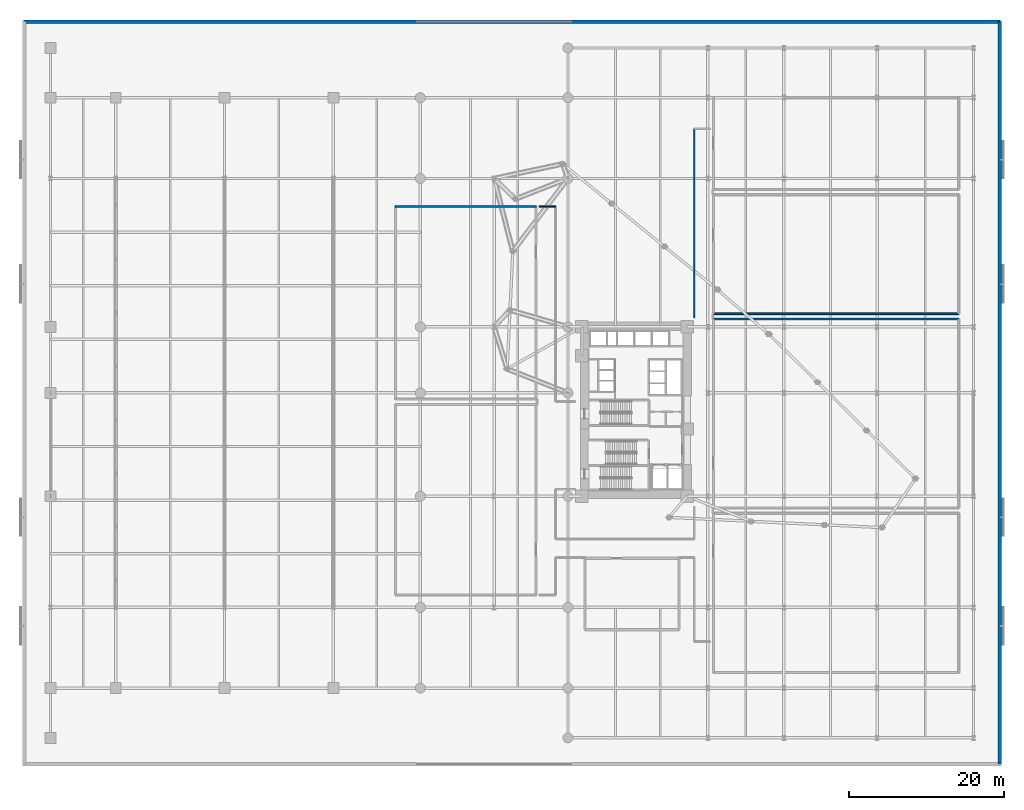
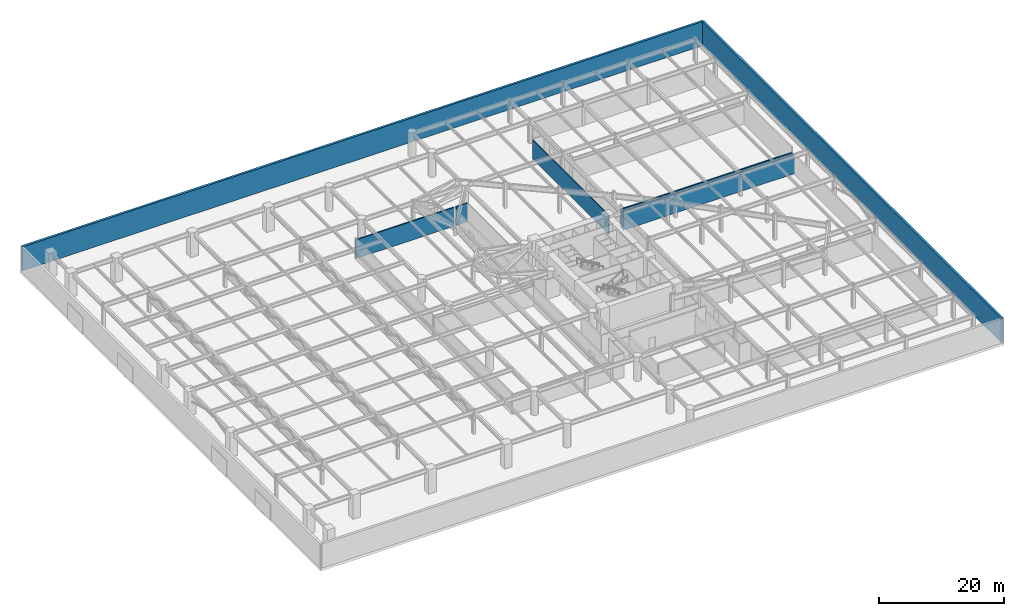
# One storey, part 27 of 40: 7 walls.
"""IFC4 building model written with IfcOpenShell, lengths in metres."""

from ifc_helpers import new_model, si_unit, direction, frame, frame_2d, origin, place, context, subcontext, project, spatial, rectangle, extrude, material, layer, layer_set, type_object, element, save


model = new_model("IFC4")

# Units and contexts
model_context = context("Model", 3, precision=1e-05, world=origin(), true_north=direction((0.0, 1.0)))
body_context = subcontext(model_context, "Body", "Model", "MODEL_VIEW")
ifc_project = project(units=[si_unit("LENGTHUNIT", "METRE"), si_unit("AREAUNIT", "SQUARE_METRE"), si_unit("VOLUMEUNIT", "CUBIC_METRE"), si_unit("PLANEANGLEUNIT", "RADIAN"), si_unit("MASSUNIT", "GRAM", prefix="KILO")], contexts=[model_context])

# Site, building, storey
site_placement = place(None, origin())
site = spatial("IfcSite", under=ifc_project, at=site_placement, CompositionType="ELEMENT")
building_placement = place(site_placement, origin())
building = spatial("IfcBuilding", under=site, at=building_placement, Name="Narakoshi Arena Tower", CompositionType="ELEMENT")
storey_placement = place(building_placement, frame((0.0, 0.0, 21.60009765625)))
storey = spatial("IfcBuildingStorey", under=building, at=storey_placement, Name="L05", CompositionType="ELEMENT", Elevation=21.60009765625)

# Walls
ifc_material_1 = material(Name="Concrete C40/50", Category="concrete")
ifc_layer_1 = layer(ifc_material_1, 0.219970703125)
ifc_layer_set_1 = layer_set([ifc_layer_1], Name="Concrete C40/50")
wall_type_1 = type_object("IfcWallType", Name="WL-COMP-220", PredefinedType="SOLIDWALL", material=ifc_layer_set_1)
for number, where, z_axis, x_axis, name in (
    (1, (120.5, 57.5, 0.0), (0.0, 0.0, 1.0), (-1.0, 0.0, 0.0), "L05 Mechanical AHU Ventilation Plant Room 2 Wall N"),
    (2, (88.949951171875, 58.199951171875, 0.0), (0.0, 0.0, 1.0), (1.0, 0.0, 0.0), "L05 Tower Low-Zone Heat Exchanger Chiller Room Wall S"),
):
    element("IfcWall", number, at=place(storey_placement, frame(where, z_axis=z_axis, x_axis=x_axis)), inside=storey, type_object=wall_type_1, Name=name, PredefinedType="SOLIDWALL", context=body_context, shape_type="SweptSolid", body=[
        extrude(rectangle(XDim=31.550048828125, YDim=0.219970703125, at=frame_2d((15.77490234375, 0.0))), origin(), (0.0, 0.0, 1.0), 3.677001953125),
    ])
wall_1_placement = place(storey_placement, frame((66.10009765625, 72.0, 0.0), z_axis=(0.0, 0.0, 1.0), x_axis=(-1.0, 0.0, 0.0)))
element("IfcWall", 3, at=wall_1_placement, inside=storey, type_object=wall_type_1, Name="L05 Transfer Truss Equipment Plant Room Wall N", PredefinedType="SOLIDWALL", context=body_context, shape_type="SweptSolid", body=[
    extrude(rectangle(XDim=18.10009765625, YDim=0.219970703125, at=frame_2d((9.050048828125, 0.0))), origin(), (0.0, 0.0, 1.0), 3.677001953125),
])
ifc_material_2 = material(Name="Gypsum plasterboard fire-rated partition")
ifc_layer_2 = layer(ifc_material_2, 0.1650390625)
ifc_layer_set_2 = layer_set([ifc_layer_2], Name="Gypsum plasterboard fire-rated partition")
wall_type_2 = type_object("IfcWallType", Name="WL-CORR-165", PredefinedType="PARTITIONING", material=ifc_layer_set_2)
wall_2_placement = place(storey_placement, frame((66.530029296875, 72.0, 0.0), z_axis=(0.0, 0.0, 1.0), x_axis=(1.0, 0.0, 0.0)))
element("IfcWall", 4, at=wall_2_placement, inside=storey, type_object=wall_type_2, Name="L05 Plant Corridor Enclosure 02-1", PredefinedType="PARTITIONING", context=body_context, shape_type="SweptSolid", body=[
    extrude(rectangle(XDim=2.070068359375, YDim=0.1650390625, at=frame_2d((1.03515625, 0.0))), origin(), (0.0, 0.0, 1.0), 3.677001953125),
])
wall_3_placement = place(storey_placement, frame((86.449951171875, 57.64990234375, 0.0), z_axis=(0.0, 0.0, 1.0), x_axis=(0.0, 1.0, 0.0)))
element("IfcWall", 5, at=wall_3_placement, inside=storey, type_object=wall_type_2, Name="L05 Plant Corridor Enclosure 04-1", PredefinedType="PARTITIONING", context=body_context, shape_type="SweptSolid", body=[
    extrude(rectangle(XDim=24.35009765625, YDim=0.1650390625, at=frame_2d((12.175048828125, 0.0))), origin(), (0.0, 0.0, 1.0), 3.677001953125),
])
ifc_material_3 = material(Name="Precast concrete C45/55", Category="concrete")
ifc_layer_3 = layer(ifc_material_3, 0.419921875)
ifc_layer_set_3 = layer_set([ifc_layer_3], Name="Precast concrete C45/55")
wall_type_3 = type_object("IfcWallType", Name="WL-POD-420", PredefinedType="SOLIDWALL", material=ifc_layer_set_3)
wall_4_placement = place(storey_placement, frame((125.7900390625, 0.2099609375, 0.0), z_axis=(0.0, 0.0, 1.0), x_axis=(0.0, 1.0, 0.0)))
element("IfcWall", 6, at=wall_4_placement, inside=storey, type_object=wall_type_3, Name="L05 Podium Precast Facade Wall E", PredefinedType="SOLIDWALL", context=body_context, shape_type="SweptSolid", body=[
    extrude(rectangle(XDim=95.580078125, YDim=0.419921875, at=frame_2d((47.7900390625, 0.0))), origin(), (0.0, 0.0, 1.0), 4.699951171875),
])
wall_5_placement = place(storey_placement, frame((125.7900390625, 95.7900390625, 0.0), z_axis=(0.0, 0.0, 1.0), x_axis=(-1.0, 0.0, 0.0)))
element("IfcWall", 7, at=wall_5_placement, inside=storey, type_object=wall_type_3, Name="L05 Podium Precast Facade Wall N", PredefinedType="SOLIDWALL", context=body_context, shape_type="SweptSolid", body=[
    extrude(rectangle(XDim=125.580078125, YDim=0.419921875, at=frame_2d((62.7900390625, 0.0))), origin(), (0.0, 0.0, 1.0), 4.699951171875),
])

save(model, "model.ifc")
